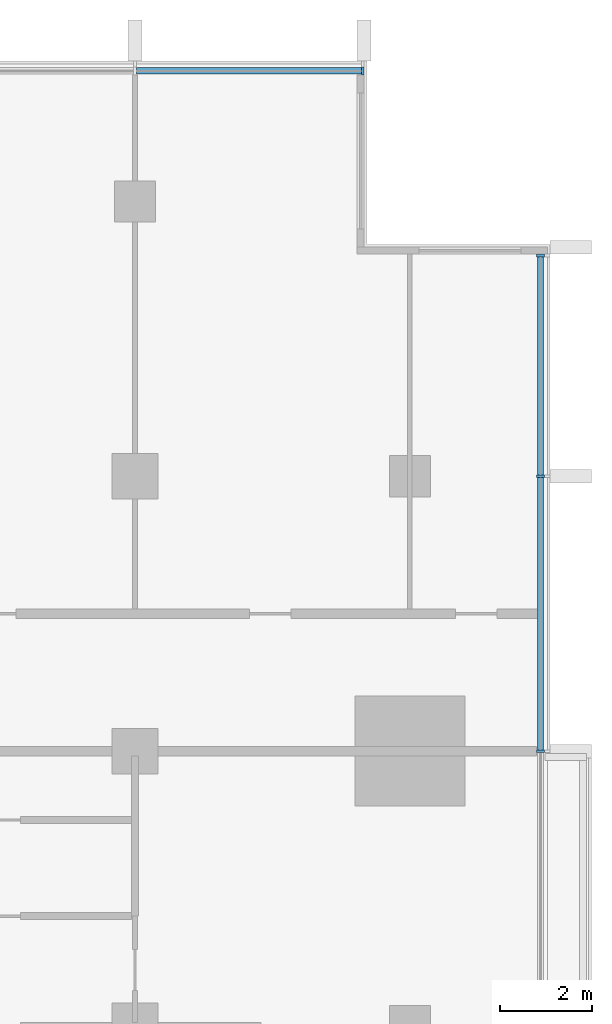
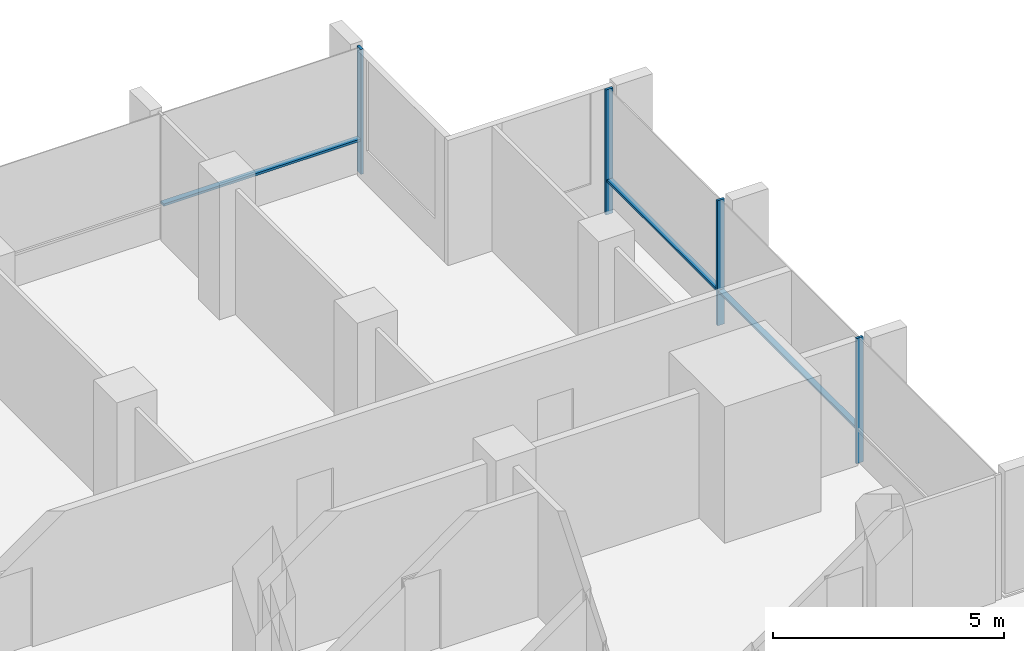
# One storey, part 5 of 16: 7 members, 2 elements without a shape of their own.
"""IFC4 building model written with IfcOpenShell, lengths in metres."""

from ifc_helpers import new_model, si_unit, direction, frame, origin, origin_2d, place, context, subcontext, project, spatial, rectangle, extrude, material, material_profile, profile_set, type_object, element, aggregate, save


model = new_model("IFC4")

# Units and contexts
model_context = context("Model", 3, precision=1e-05, world=origin(), true_north=direction((0.0, 1.0)))
body_context = subcontext(model_context, "Body", "Model", "MODEL_VIEW")
ifc_project = project(units=[si_unit("LENGTHUNIT", "METRE"), si_unit("AREAUNIT", "SQUARE_METRE"), si_unit("VOLUMEUNIT", "CUBIC_METRE"), si_unit("PLANEANGLEUNIT", "RADIAN"), si_unit("MASSUNIT", "GRAM", prefix="KILO")], contexts=[model_context])

# Site, building, storey
site_placement = place(None, origin())
site = spatial("IfcSite", under=ifc_project, at=site_placement, CompositionType="ELEMENT")
building_placement = place(site_placement, origin())
building = spatial("IfcBuilding", under=site, at=building_placement, Name="Finial Court Residences", CompositionType="ELEMENT")
storey_placement = place(building_placement, frame((0.0, 0.0, 185.300048828125)))
storey = spatial("IfcBuildingStorey", under=building, at=storey_placement, Name="L46", CompositionType="ELEMENT", Elevation=185.300048828125)

# Curtain wall, member
ifc_material = material(Name="Bronze anodised aluminium", Category="aluminium")
curtain_wall_type = type_object("IfcCurtainWallType", Name="Unitised curtain wall, upper zones", PredefinedType="NOTDEFINED", material=ifc_material)
curtain_wall_1_placement = place(storey_placement, origin())
curtain_wall_1 = element("IfcCurtainWall", 1, at=curtain_wall_1_placement, inside=storey, type_object=curtain_wall_type, Name="E-L46-CW-N3", PredefinedType="NOTDEFINED")
ifc_material_profile_1 = material_profile(ifc_material, rectangle(XDim=0.175048828125, YDim=0.06005859375, at=origin_2d()), Name="CW2 mullion 60 x 175")
ifc_profile_set_1 = profile_set([ifc_material_profile_1], Name="Bronze anodised aluminium")
member_type_1 = type_object("IfcMemberType", Name="CW2 mullion 60 x 175", PredefinedType="MULLION", material=ifc_profile_set_1)
member_1_placement = place(storey_placement, frame((15.469970703125, 22.35009765625, 0.0), z_axis=(0.0, 0.0, 1.0), x_axis=(0.0, 1.0, 0.0)))
member_1 = element("IfcMember", 2, at=member_1_placement, type_object=member_type_1, Name="CW2 mullion 3", PredefinedType="MULLION", context=body_context, shape_type="SweptSolid", body=[
    extrude(rectangle(XDim=0.175048828125, YDim=0.06005859375, at=origin_2d()), origin(), (0.0, 0.0, 1.0), 3.300048828125),
])

# Curtain wall, members
curtain_wall_2_placement = place(storey_placement, origin())
curtain_wall_2 = element("IfcCurtainWall", 3, at=curtain_wall_2_placement, inside=storey, type_object=curtain_wall_type, Name="E-L46-CW-E6", PredefinedType="NOTDEFINED")
member_2_placement = place(storey_placement, frame((19.35009765625, 7.5, 0.0), z_axis=(0.0, 0.0, 1.0), x_axis=(-1.0, 0.0, 0.0)))
member_2 = element("IfcMember", 4, at=member_2_placement, type_object=member_type_1, Name="CW2 mullion 2", PredefinedType="MULLION", context=body_context, shape_type="SweptSolid", body=[
    extrude(rectangle(XDim=0.175048828125, YDim=0.06005859375, at=origin_2d()), origin(), (0.0, 0.0, 1.0), 3.300048828125),
])
member_3_placement = place(storey_placement, frame((19.35009765625, 13.5, 0.0), z_axis=(0.0, 0.0, 1.0), x_axis=(-1.0, 0.0, 0.0)))
member_3 = element("IfcMember", 5, at=member_3_placement, type_object=member_type_1, Name="CW2 mullion 3", PredefinedType="MULLION", context=body_context, shape_type="SweptSolid", body=[
    extrude(rectangle(XDim=0.175048828125, YDim=0.06005859375, at=origin_2d()), origin(), (0.0, 0.0, 1.0), 3.300048828125),
])
member_4_placement = place(storey_placement, frame((19.35009765625, 18.320068359375, 0.0), z_axis=(0.0, 0.0, 1.0), x_axis=(-1.0, 0.0, 0.0)))
member_4 = element("IfcMember", 6, at=member_4_placement, type_object=member_type_1, Name="CW2 mullion 4", PredefinedType="MULLION", context=body_context, shape_type="SweptSolid", body=[
    extrude(rectangle(XDim=0.175048828125, YDim=0.06005859375, at=origin_2d()), origin(), (0.0, 0.0, 1.0), 3.300048828125),
])

# Member
ifc_material_profile_2 = material_profile(ifc_material, rectangle(XDim=0.139892578125, YDim=0.06005859375, at=origin_2d()), Name="CW2 transom 60 x 140")
ifc_profile_set_2 = profile_set([ifc_material_profile_2], Name="Bronze anodised aluminium")
member_type_2 = type_object("IfcMemberType", Name="CW2 transom 60 x 140", PredefinedType="USERDEFINED", material=ifc_profile_set_2)
member_5_placement = place(storey_placement, frame((10.530029296875, 22.35009765625, 0.89990234375), z_axis=(1.0, 0.0, 0.0), x_axis=(0.0, 1.0, 0.0)))
member_5 = element("IfcMember", 7, at=member_5_placement, type_object=member_type_2, Name="CW2 transom 2.1", ObjectType="TRANSOM", PredefinedType="USERDEFINED", context=body_context, shape_type="SweptSolid", body=[
    extrude(rectangle(XDim=0.139892578125, YDim=0.06005859375, at=origin_2d()), origin(), (0.0, 0.0, 1.0), 4.909912109375),
])

aggregate(curtain_wall_1, [member_1, member_5])

member_6_placement = place(storey_placement, frame((19.35009765625, 7.530029296875, 0.89990234375), z_axis=(0.0, 1.0, 0.0), x_axis=(-1.0, 0.0, 0.0)))
member_6 = element("IfcMember", 8, at=member_6_placement, type_object=member_type_2, Name="CW2 transom 2.1", ObjectType="TRANSOM", PredefinedType="USERDEFINED", context=body_context, shape_type="SweptSolid", body=[
    extrude(rectangle(XDim=0.139892578125, YDim=0.06005859375, at=origin_2d()), origin(), (0.0, 0.0, 1.0), 5.93994140625),
])

member_7_placement = place(storey_placement, frame((19.35009765625, 13.530029296875, 0.89990234375), z_axis=(0.0, 1.0, 0.0), x_axis=(-1.0, 0.0, 0.0)))
member_7 = element("IfcMember", 9, at=member_7_placement, type_object=member_type_2, Name="CW2 transom 3.1", ObjectType="TRANSOM", PredefinedType="USERDEFINED", context=body_context, shape_type="SweptSolid", body=[
    extrude(rectangle(XDim=0.139892578125, YDim=0.06005859375, at=origin_2d()), origin(), (0.0, 0.0, 1.0), 4.760009765625),
])

aggregate(curtain_wall_2, [member_2, member_3, member_4, member_6, member_7])

save(model, "model.ifc")
